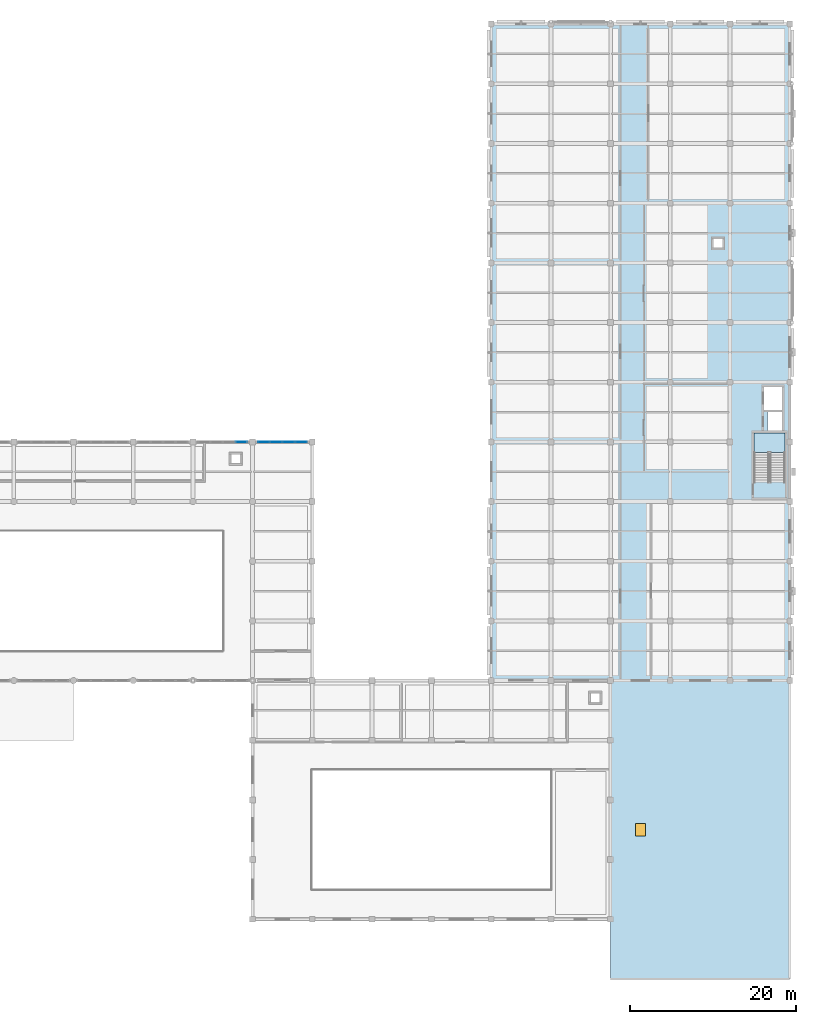
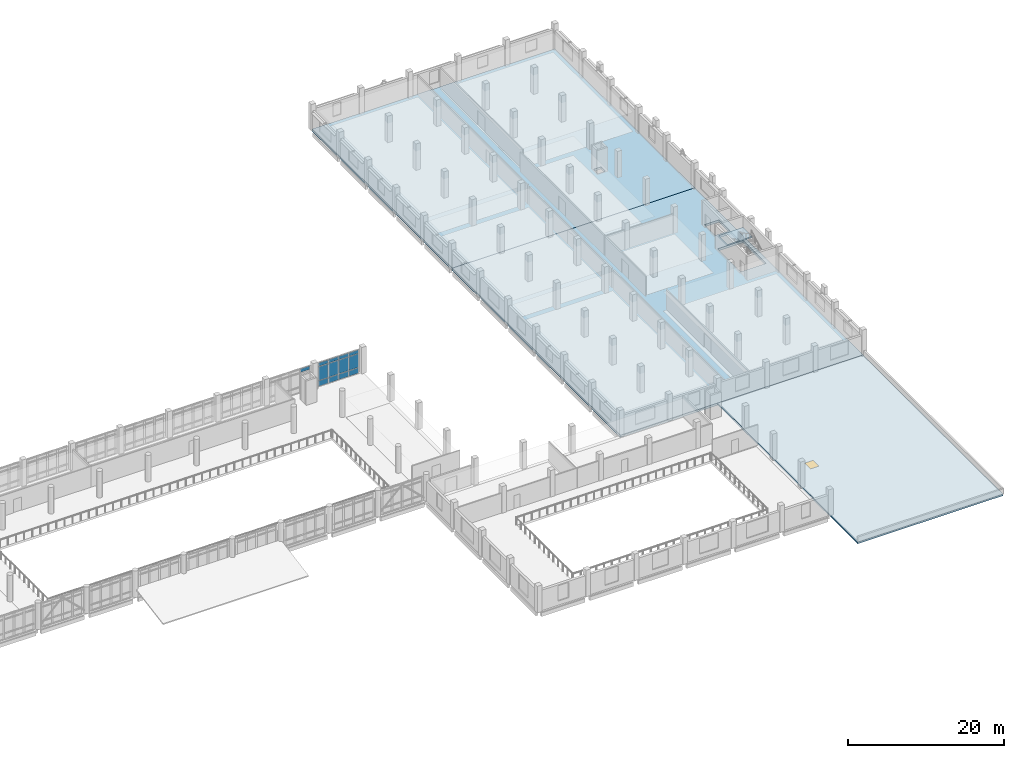
# One storey, part 28 of 57: 13 plates, 4 slabs, 1 window, 1 opening, 3 elements without a shape of their own.
"""IFC4 building model written with IfcOpenShell, lengths in metres."""

from ifc_helpers import new_model, si_unit, direction, frame, origin, origin_2d, place, context, subcontext, project, spatial, polyline, rectangle, outline, extrude, material, layer, layer_set, type_object, element, fill, aggregate, save


model = new_model("IFC4")

# Units and contexts
model_context = context("Model", 3, precision=1e-05, world=origin(), true_north=direction((0.0, 1.0)))
body_context = subcontext(model_context, "Body", "Model", "MODEL_VIEW")
ifc_project = project(units=[si_unit("LENGTHUNIT", "METRE"), si_unit("AREAUNIT", "SQUARE_METRE"), si_unit("VOLUMEUNIT", "CUBIC_METRE"), si_unit("PLANEANGLEUNIT", "RADIAN"), si_unit("MASSUNIT", "GRAM", prefix="KILO")], contexts=[model_context])

# Site, building, storey
site_placement = place(None, origin())
site = spatial("IfcSite", under=ifc_project, at=site_placement, CompositionType="ELEMENT")
building_placement = place(site_placement, origin())
building = spatial("IfcBuilding", under=site, at=building_placement, Name="Valkovuoma Quantum and Materials Research Institute", CompositionType="ELEMENT")
storey_placement = place(building_placement, frame((0.0, 0.0, 4.800048828125)))
storey = spatial("IfcBuildingStorey", under=building, at=storey_placement, Name="L01", CompositionType="ELEMENT", Elevation=4.800048828125)

# Curtain wall, plate
ifc_material_1 = material(Name="Thermally broken aluminium and triple low-E glazing", Category="aluminium")
ifc_layer_1 = layer(ifc_material_1, 0.219970703125)
ifc_layer_set_1 = layer_set([ifc_layer_1], Name="Thermally broken aluminium and triple low-E glazing")
curtain_wall_type = type_object("IfcCurtainWallType", Name="CW-CW-02", PredefinedType="NOTDEFINED", material=ifc_layer_set_1)
curtain_wall_1_placement = place(storey_placement, origin())
curtain_wall_1 = element("IfcCurtainWall", 1, at=curtain_wall_1_placement, inside=storey, type_object=curtain_wall_type, Name="L01 curtain wall 177", PredefinedType="NOTDEFINED")
ifc_material_2 = material(Name="Triple low-E argon insulating glass", Category="glass")
ifc_layer_2 = layer(ifc_material_2, 0.0419921875)
ifc_layer_set_2 = layer_set([ifc_layer_2], Name="Triple low-E argon insulating glass")
plate_type = type_object("IfcPlateType", Name="CWPanel-CWP-02", PredefinedType="CURTAIN_PANEL", material=ifc_layer_set_2)
plate_1_placement = place(storey_placement, frame((99.445068359375, 64.800048828125, 3.197509765625), z_axis=(0.0, 0.0, 1.0), x_axis=(1.0, 0.0, 0.0)))
plate_1 = element("IfcPlate", 2, at=plate_1_placement, type_object=plate_type, Name="CW-02 panel 4.3", PredefinedType="CURTAIN_PANEL", context=body_context, shape_type="SweptSolid", body=[
    extrude(rectangle(XDim=1.389892578125, YDim=0.0419921875, at=origin_2d()), origin(), (0.0, 0.0, 1.0), 0.53759765625),
])
aggregate(curtain_wall_1, [plate_1])

# Curtain wall, plates
curtain_wall_2_placement = place(storey_placement, origin())
curtain_wall_2 = element("IfcCurtainWall", 3, at=curtain_wall_2_placement, inside=storey, type_object=curtain_wall_type, Name="L01 curtain wall 178", PredefinedType="NOTDEFINED")
plate_2_placement = place(storey_placement, frame((102.155029296875, 64.800048828125, 0.074951171875), z_axis=(0.0, 0.0, 1.0), x_axis=(1.0, 0.0, 0.0)))
plate_2 = element("IfcPlate", 4, at=plate_2_placement, type_object=plate_type, Name="CW-02 panel 1.1", PredefinedType="CURTAIN_PANEL", context=body_context, shape_type="SweptSolid", body=[
    extrude(rectangle(XDim=1.389892578125, YDim=0.0419921875, at=origin_2d()), origin(), (0.0, 0.0, 1.0), 0.83740234375),
])
plate_3_placement = place(storey_placement, frame((102.155029296875, 64.800048828125, 0.9873046875), z_axis=(0.0, 0.0, 1.0), x_axis=(1.0, 0.0, 0.0)))
plate_3 = element("IfcPlate", 5, at=plate_3_placement, type_object=plate_type, Name="CW-02 panel 1.2", PredefinedType="CURTAIN_PANEL", context=body_context, shape_type="SweptSolid", body=[
    extrude(rectangle(XDim=1.389892578125, YDim=0.0419921875, at=origin_2d()), origin(), (0.0, 0.0, 1.0), 2.135009765625),
])
plate_4_placement = place(storey_placement, frame((102.155029296875, 64.800048828125, 3.197509765625), z_axis=(0.0, 0.0, 1.0), x_axis=(1.0, 0.0, 0.0)))
plate_4 = element("IfcPlate", 6, at=plate_4_placement, type_object=plate_type, Name="CW-02 panel 1.3", PredefinedType="CURTAIN_PANEL", context=body_context, shape_type="SweptSolid", body=[
    extrude(rectangle(XDim=1.389892578125, YDim=0.0419921875, at=origin_2d()), origin(), (0.0, 0.0, 1.0), 0.53759765625),
])
plate_5_placement = place(storey_placement, frame((103.64501953125, 64.800048828125, 0.074951171875), z_axis=(0.0, 0.0, 1.0), x_axis=(1.0, 0.0, 0.0)))
plate_5 = element("IfcPlate", 7, at=plate_5_placement, type_object=plate_type, Name="CW-02 panel 2.1", PredefinedType="CURTAIN_PANEL", context=body_context, shape_type="SweptSolid", body=[
    extrude(rectangle(XDim=1.429931640625, YDim=0.0419921875, at=origin_2d()), origin(), (0.0, 0.0, 1.0), 0.83740234375),
])
plate_6_placement = place(storey_placement, frame((103.64501953125, 64.800048828125, 0.9873046875), z_axis=(0.0, 0.0, 1.0), x_axis=(1.0, 0.0, 0.0)))
plate_6 = element("IfcPlate", 8, at=plate_6_placement, type_object=plate_type, Name="CW-02 panel 2.2", PredefinedType="CURTAIN_PANEL", context=body_context, shape_type="SweptSolid", body=[
    extrude(rectangle(XDim=1.429931640625, YDim=0.0419921875, at=origin_2d()), origin(), (0.0, 0.0, 1.0), 2.135009765625),
])
plate_7_placement = place(storey_placement, frame((103.64501953125, 64.800048828125, 3.197509765625), z_axis=(0.0, 0.0, 1.0), x_axis=(1.0, 0.0, 0.0)))
plate_7 = element("IfcPlate", 9, at=plate_7_placement, type_object=plate_type, Name="CW-02 panel 2.3", PredefinedType="CURTAIN_PANEL", context=body_context, shape_type="SweptSolid", body=[
    extrude(rectangle(XDim=1.429931640625, YDim=0.0419921875, at=origin_2d()), origin(), (0.0, 0.0, 1.0), 0.53759765625),
])
plate_8_placement = place(storey_placement, frame((105.155029296875, 64.800048828125, 0.074951171875), z_axis=(0.0, 0.0, 1.0), x_axis=(1.0, 0.0, 0.0)))
plate_8 = element("IfcPlate", 10, at=plate_8_placement, type_object=plate_type, Name="CW-02 panel 3.1", PredefinedType="CURTAIN_PANEL", context=body_context, shape_type="SweptSolid", body=[
    extrude(rectangle(XDim=1.429931640625, YDim=0.0419921875, at=origin_2d()), origin(), (0.0, 0.0, 1.0), 0.83740234375),
])
plate_9_placement = place(storey_placement, frame((105.155029296875, 64.800048828125, 0.9873046875), z_axis=(0.0, 0.0, 1.0), x_axis=(1.0, 0.0, 0.0)))
plate_9 = element("IfcPlate", 11, at=plate_9_placement, type_object=plate_type, Name="CW-02 panel 3.2", PredefinedType="CURTAIN_PANEL", context=body_context, shape_type="SweptSolid", body=[
    extrude(rectangle(XDim=1.429931640625, YDim=0.0419921875, at=origin_2d()), origin(), (0.0, 0.0, 1.0), 2.135009765625),
])
plate_10_placement = place(storey_placement, frame((105.155029296875, 64.800048828125, 3.197509765625), z_axis=(0.0, 0.0, 1.0), x_axis=(1.0, 0.0, 0.0)))
plate_10 = element("IfcPlate", 12, at=plate_10_placement, type_object=plate_type, Name="CW-02 panel 3.3", PredefinedType="CURTAIN_PANEL", context=body_context, shape_type="SweptSolid", body=[
    extrude(rectangle(XDim=1.429931640625, YDim=0.0419921875, at=origin_2d()), origin(), (0.0, 0.0, 1.0), 0.53759765625),
])
plate_11_placement = place(storey_placement, frame((106.64501953125, 64.800048828125, 0.074951171875), z_axis=(0.0, 0.0, 1.0), x_axis=(1.0, 0.0, 0.0)))
plate_11 = element("IfcPlate", 13, at=plate_11_placement, type_object=plate_type, Name="CW-02 panel 4.1", PredefinedType="CURTAIN_PANEL", context=body_context, shape_type="SweptSolid", body=[
    extrude(rectangle(XDim=1.389892578125, YDim=0.0419921875, at=origin_2d()), origin(), (0.0, 0.0, 1.0), 0.83740234375),
])
plate_12_placement = place(storey_placement, frame((106.64501953125, 64.800048828125, 0.9873046875), z_axis=(0.0, 0.0, 1.0), x_axis=(1.0, 0.0, 0.0)))
plate_12 = element("IfcPlate", 14, at=plate_12_placement, type_object=plate_type, Name="CW-02 panel 4.2", PredefinedType="CURTAIN_PANEL", context=body_context, shape_type="SweptSolid", body=[
    extrude(rectangle(XDim=1.389892578125, YDim=0.0419921875, at=origin_2d()), origin(), (0.0, 0.0, 1.0), 2.135009765625),
])
plate_13_placement = place(storey_placement, frame((106.64501953125, 64.800048828125, 3.197509765625), z_axis=(0.0, 0.0, 1.0), x_axis=(1.0, 0.0, 0.0)))
plate_13 = element("IfcPlate", 15, at=plate_13_placement, type_object=plate_type, Name="CW-02 panel 4.3", PredefinedType="CURTAIN_PANEL", context=body_context, shape_type="SweptSolid", body=[
    extrude(rectangle(XDim=1.389892578125, YDim=0.0419921875, at=origin_2d()), origin(), (0.0, 0.0, 1.0), 0.53759765625),
])
aggregate(curtain_wall_2, [plate_2, plate_3, plate_4, plate_5, plate_6, plate_7, plate_8, plate_9, plate_10, plate_11, plate_12, plate_13])

# Slabs
ifc_material_3 = material(Name="Concrete C40/50", Category="concrete")
ifc_layer_3 = layer(ifc_material_3, 0.35009765625)
ifc_layer_set_3 = layer_set([ifc_layer_3], Name="Concrete C40/50")
slab_type_1 = type_object("IfcSlabType", Name="Slab-SL-FL350", PredefinedType="FLOOR", material=ifc_layer_set_3)
slab_1_placement = place(storey_placement, frame((0.0, 0.0, -0.35009765625)))
element("IfcSlab", 16, at=slab_1_placement, inside=storey, type_object=slab_type_1, Name="L01 vol4_wetlab structural slab 1", PredefinedType="FLOOR", context=body_context, shape_type="SweptSolid", body=[
    extrude(outline(polyline([(129.60009765625, 36.0), (165.60009765625, 36.0), (165.60009765625, 79.199951171875), (129.60009765625, 79.199951171875), (129.60009765625, 36.0)]), holes=[polyline([(161.300048828125, 59.9599609375), (165.050048828125, 59.9599609375), (165.050048828125, 65.89990234375), (161.300048828125, 65.89990234375), (161.300048828125, 59.9599609375)]), polyline([(162.919921875, 66.1201171875), (164.679931640625, 66.1201171875), (164.679931640625, 68.3798828125), (162.919921875, 68.3798828125), (162.919921875, 66.1201171875)]), polyline([(162.52001953125, 68.669921875), (164.679931640625, 68.669921875), (164.679931640625, 71.429931640625), (162.52001953125, 71.429931640625), (162.52001953125, 68.669921875)])]), origin(), (0.0, 0.0, 1.0), 0.35009765625),
])
slab_2_placement = place(storey_placement, frame((0.0, 0.0, -0.35009765625)))
element("IfcSlab", 17, at=slab_2_placement, inside=storey, type_object=slab_type_1, Name="L01 vol4_wetlab structural slab 2", PredefinedType="FLOOR", context=body_context, shape_type="SweptSolid", body=[
    extrude(outline(polyline([(129.60009765625, 79.199951171875), (165.60009765625, 79.199951171875), (165.60009765625, 115.199951171875), (129.60009765625, 115.199951171875), (129.60009765625, 79.199951171875)]), holes=[polyline([(156.39990234375, 88.199951171875), (157.5, 88.199951171875), (157.5, 89.300048828125), (156.39990234375, 89.300048828125), (156.39990234375, 88.199951171875)])]), origin(), (0.0, 0.0, 1.0), 0.35009765625),
])

# Stair, slab
ifc_material_4 = material(Name="Concrete C40/50", Category="concrete")
stair_type = type_object("IfcStairType", Name="Stair-ST-COR", PredefinedType="HALF_TURN_STAIR", material=ifc_material_4)
stair_placement = place(storey_placement, origin())
stair = element("IfcStair", 18, at=stair_placement, inside=storey, type_object=stair_type, Name="L01 Exit Stair ST-3", PredefinedType="HALF_TURN_STAIR")
ifc_material_5 = material(Name="Concrete C40/50", Category="concrete")
ifc_layer_4 = layer(ifc_material_5, 0.199951171875)
ifc_layer_set_4 = layer_set([ifc_layer_4], Name="Concrete C40/50")
slab_type_2 = type_object("IfcSlabType", Name="Slab-SL-LND200", PredefinedType="LANDING", material=ifc_layer_set_4)
slab_3_placement = place(storey_placement, frame((0.0, 0.0, 1.8798828125)))
slab_3 = element("IfcSlab", 19, at=slab_3_placement, type_object=slab_type_2, Name="ST-3 landing 1", PredefinedType="LANDING", context=body_context, shape_type="SweptSolid", body=[
    extrude(outline(polyline([(165.050048828125, 63.5), (165.050048828125, 65.89990234375), (161.300048828125, 65.89990234375), (161.300048828125, 63.5), (165.050048828125, 63.5)])), origin(), (0.0, 0.0, 1.0), 0.199951171875),
])
aggregate(stair, [slab_3])

# Slab, opening, window
ifc_material_6 = material(Name="Concrete C40/50", Category="concrete")
ifc_layer_5 = layer(ifc_material_6, 0.25)
ifc_layer_set_5 = layer_set([ifc_layer_5], Name="Concrete C40/50")
slab_type_3 = type_object("IfcSlabType", Name="Slab-SL-RF250", PredefinedType="ROOF", material=ifc_layer_set_5)
slab_4_placement = place(storey_placement, frame((0.0, 0.0, -0.25)))
slab_4 = element("IfcSlab", 20, at=slab_4_placement, inside=storey, type_object=slab_type_3, Name="L01 roof slab RF_VOL4_SE_DOCK", PredefinedType="ROOF", context=body_context, shape_type="SweptSolid", body=[
    extrude(outline(polyline([(144.0, 0.0), (165.60009765625, 0.0), (165.60009765625, 36.0), (144.0, 36.0), (144.0, 0.0)]), holes=[polyline([(147.0, 17.25), (148.199951171875, 17.25), (148.199951171875, 18.75), (147.0, 18.75), (147.0, 17.25)])]), origin(), (0.0, 0.0, 1.0), 0.25),
])
opening_placement = place(slab_4_placement, frame((147.60009765625, 18.0, -0.010009765625)))
opening = element("IfcOpeningElement", 21, at=opening_placement, cuts=slab_4, Name="Opening SKY-HT1", PredefinedType="OPENING", context=body_context, shape_type="SweptSolid", body=[
    extrude(rectangle(XDim=1.199951171875, YDim=1.5, at=origin_2d()), origin(), (0.0, 0.0, 1.0), 0.27001953125),
])
ifc_material_7 = material(Name="Triple low-E laminated safety glass skylight", Category="glass")
window_type = type_object("IfcWindowType", Name="Win-SKY-HT1", PartitioningType="SINGLE_PANEL", PredefinedType="SKYLIGHT", material=ifc_material_7)
window_placement = place(opening_placement, frame((0.0, 0.0, 0.2099609375)))
window = element("IfcWindow", 22, at=window_placement, inside=storey, type_object=window_type, Name="L01 roof smoke-vent skylight SKY-HT1", OverallHeight=1.5, OverallWidth=1.199951171875, PartitioningType="SINGLE_PANEL", PredefinedType="SKYLIGHT", context=body_context, shape_type="SweptSolid", body=[
    extrude(rectangle(XDim=1.199951171875, YDim=1.5, at=origin_2d()), origin(), (0.0, 0.0, 1.0), 0.050048828125),
])
fill(opening, window)

save(model, "model.ifc")
